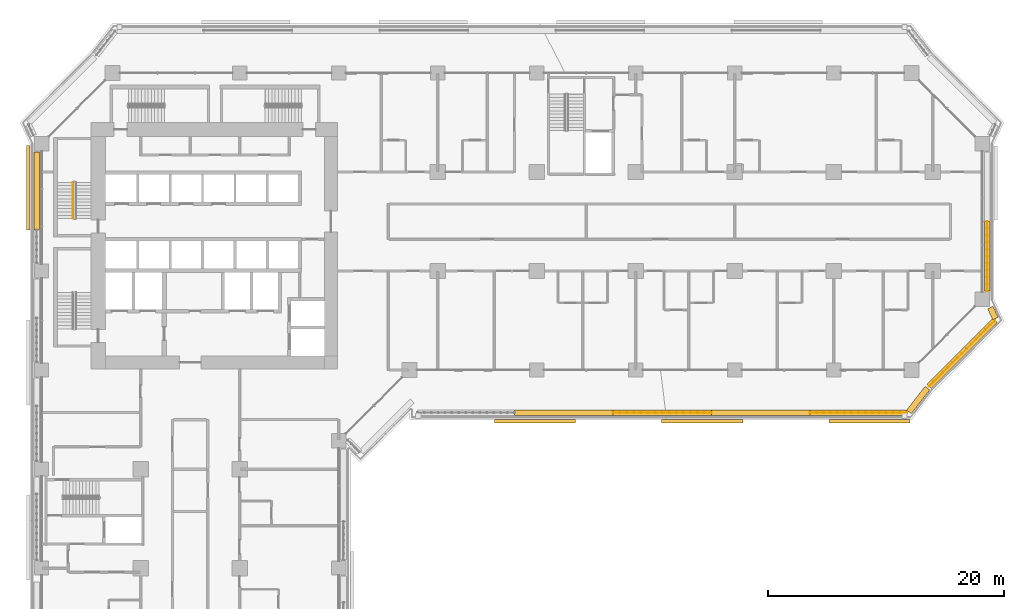
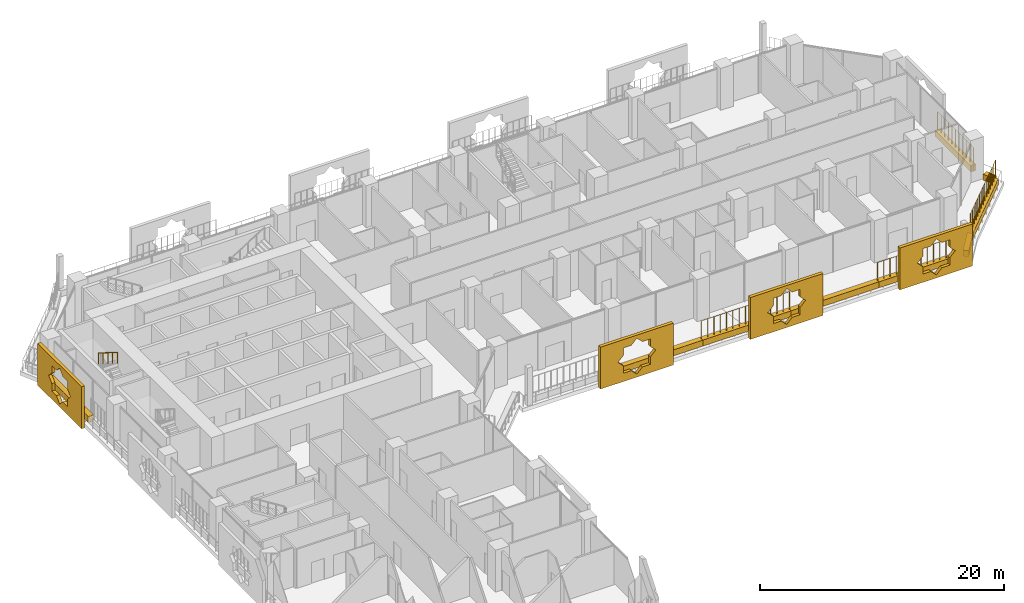
# One storey, part 25 of 28: 13 coverings, 5 railings.
"""IFC4 building model written with IfcOpenShell, lengths in metres."""

from ifc_helpers import new_model, si_unit, direction, frame, origin, origin_2d, place, context, subcontext, project, spatial, polyline, rectangle, circle, outline, extrude, material, material_profile, profile_set, type_object, element, save


model = new_model("IFC4")

# Units and contexts
model_context = context("Model", 3, precision=1e-05, world=origin(), true_north=direction((0.0, 1.0)))
body_context = subcontext(model_context, "Body", "Model", "MODEL_VIEW")
ifc_project = project(units=[si_unit("LENGTHUNIT", "METRE"), si_unit("AREAUNIT", "SQUARE_METRE"), si_unit("VOLUMEUNIT", "CUBIC_METRE"), si_unit("PLANEANGLEUNIT", "RADIAN"), si_unit("MASSUNIT", "GRAM", prefix="KILO")], contexts=[model_context])

# Site, building, storey
site_placement = place(None, origin())
site = spatial("IfcSite", under=ifc_project, at=site_placement, CompositionType="ELEMENT")
building_placement = place(site_placement, origin())
building = spatial("IfcBuilding", under=site, at=building_placement, Name="Kawkab Arch Medical Tower", CompositionType="ELEMENT")
storey_placement = place(building_placement, frame((0.0, 0.0, 81.199951171875)))
storey = spatial("IfcBuildingStorey", under=building, at=storey_placement, Name="L18", CompositionType="ELEMENT", Elevation=81.199951171875)

# Coverings
ifc_material_1 = material(Name="Bronze anodised aluminium mashrabiya panel, eight-point star pattern", Category="aluminium")
ifc_material_profile_1 = material_profile(ifc_material_1, outline(polyline([(-3.449951171875, -2.10009765625), (3.449951171875, -2.10009765625), (3.449951171875, 2.10009765625), (-3.449951171875, 2.10009765625), (-3.449951171875, -2.10009765625)]), holes=[polyline([(1.800048828125, 0.0), (1.272705078125, 0.527099609375), (1.272705078125, 1.272705078125), (0.527099609375, 1.272705078125), (0.0, 1.800048828125), (-0.527099609375, 1.272705078125), (-1.272705078125, 1.272705078125), (-1.272705078125, 0.527099609375), (-1.800048828125, 0.0), (-1.272705078125, -0.527099609375), (-1.272705078125, -1.272705078125), (-0.527099609375, -1.272705078125), (0.0, -1.800048828125), (0.527099609375, -1.272705078125), (1.272705078125, -1.272705078125), (1.272705078125, -0.527099609375), (1.800048828125, 0.0)])]), Name="Mashrabiya panel 6900x4200")
ifc_profile_set_1 = profile_set([ifc_material_profile_1], Name="Bronze anodised aluminium mashrabiya panel, eight-point star pattern")
covering_type_1 = type_object("IfcCoveringType", Name="Mashrabiya panel 6900 x 4200", PredefinedType="USERDEFINED", material=ifc_profile_set_1)
for number, where, z_axis, x_axis, name in (
    (1, (70.226318359375, -29.39990234375, 1.699951171875), (0.0, -1.0, 0.0), (1.0, 0.0, 0.0), "Mashrabiya panel L18.LOG-01-01.11"),
    (2, (56.05126953125, -29.39990234375, 1.699951171875), (0.0, -1.0, 0.0), (1.0, 0.0, 0.0), "Mashrabiya panel L18.LOG-01-01.12"),
    (3, (41.856201171875, -29.39990234375, 1.699951171875), (0.0, -1.0, 0.0), (1.0, 0.0, 0.0), "Mashrabiya panel L18.LOG-01-01.13"),
):
    element("IfcCovering", number, at=place(storey_placement, frame(where, z_axis=z_axis, x_axis=x_axis)), inside=storey, type_object=covering_type_1, Name=name, ObjectType="SCREEN", PredefinedType="USERDEFINED", context=body_context, shape_type="SweptSolid", body=[
        extrude(outline(polyline([(-3.449951171875, -2.10009765625), (3.449951171875, -2.10009765625), (3.449951171875, 2.10009765625), (-3.449951171875, 2.10009765625), (-3.449951171875, -2.10009765625)]), holes=[polyline([(1.800048828125, 0.0), (1.272705078125, 0.527099609375), (1.272705078125, 1.272705078125), (0.527099609375, 1.272705078125), (0.0, 1.800048828125), (-0.527099609375, 1.272705078125), (-1.272705078125, 1.272705078125), (-1.272705078125, 0.527099609375), (-1.800048828125, 0.0), (-1.272705078125, -0.527099609375), (-1.272705078125, -1.272705078125), (-0.527099609375, -1.272705078125), (0.0, -1.800048828125), (0.527099609375, -1.272705078125), (1.272705078125, -1.272705078125), (1.272705078125, -0.527099609375), (1.800048828125, 0.0)])]), origin(), (0.0, 0.0, 1.0), 0.300048828125),
    ])
ifc_material_2 = material(Name="Bronze anodised aluminium mashrabiya panel, eight-point star pattern", Category="aluminium")
ifc_material_profile_2 = material_profile(ifc_material_2, outline(polyline([(-3.60009765625, -2.10009765625), (3.60009765625, -2.10009765625), (3.60009765625, 2.10009765625), (-3.60009765625, 2.10009765625), (-3.60009765625, -2.10009765625)]), holes=[polyline([(1.800048828125, 0.0), (1.272705078125, 0.527099609375), (1.272705078125, 1.272705078125), (0.527099609375, 1.272705078125), (0.0, 1.800048828125), (-0.527099609375, 1.272705078125), (-1.272705078125, 1.272705078125), (-1.272705078125, 0.527099609375), (-1.800048828125, 0.0), (-1.272705078125, -0.527099609375), (-1.272705078125, -1.272705078125), (-0.527099609375, -1.272705078125), (0.0, -1.800048828125), (0.527099609375, -1.272705078125), (1.272705078125, -1.272705078125), (1.272705078125, -0.527099609375), (1.800048828125, 0.0)])]), Name="Mashrabiya panel 7200x4200")
ifc_profile_set_2 = profile_set([ifc_material_profile_2], Name="Bronze anodised aluminium mashrabiya panel, eight-point star pattern")
covering_type_2 = type_object("IfcCoveringType", Name="Mashrabiya panel 7200 x 4200", PredefinedType="USERDEFINED", material=ifc_profile_set_2)
covering_1_placement = place(storey_placement, frame((-1.0, -9.730712890625, 1.699951171875), z_axis=(-1.0, 0.0, 0.0), x_axis=(0.0, -1.0, 0.0)))
element("IfcCovering", 4, at=covering_1_placement, inside=storey, type_object=covering_type_2, Name="Mashrabiya panel L18.LOG-01-01.5", ObjectType="SCREEN", PredefinedType="USERDEFINED", context=body_context, shape_type="SweptSolid", body=[
    extrude(outline(polyline([(-3.60009765625, -2.10009765625), (3.60009765625, -2.10009765625), (3.60009765625, 2.10009765625), (-3.60009765625, 2.10009765625), (-3.60009765625, -2.10009765625)]), holes=[polyline([(1.800048828125, 0.0), (1.272705078125, 0.527099609375), (1.272705078125, 1.272705078125), (0.527099609375, 1.272705078125), (0.0, 1.800048828125), (-0.527099609375, 1.272705078125), (-1.272705078125, 1.272705078125), (-1.272705078125, 0.527099609375), (-1.800048828125, 0.0), (-1.272705078125, -0.527099609375), (-1.272705078125, -1.272705078125), (-0.527099609375, -1.272705078125), (0.0, -1.800048828125), (0.527099609375, -1.272705078125), (1.272705078125, -1.272705078125), (1.272705078125, -0.527099609375), (1.800048828125, 0.0)])]), origin(), (0.0, 0.0, 1.0), 0.300048828125),
])
ifc_material_3 = material(Name="Planting soil in a precast trough", Category="concrete")
ifc_material_profile_3 = material_profile(ifc_material_3, rectangle(XDim=0.5, YDim=0.60009765625, at=origin_2d()), Name="Trough 500x600")
ifc_profile_set_3 = profile_set([ifc_material_profile_3], Name="Planting soil in a precast trough")
covering_type_3 = type_object("IfcCoveringType", Name="Planter trough 500 x 600", PredefinedType="USERDEFINED", material=ifc_profile_set_3)
covering_2_placement = place(storey_placement, frame((-0.419921875, -13.3310546875, 0.300048828125), z_axis=(0.0, 1.0, 0.0), x_axis=(-1.0, 0.0, 0.0)))
element("IfcCovering", 5, at=covering_2_placement, inside=storey, type_object=covering_type_3, Name="Planter L18.LOG-01-01.16", ObjectType="PLANTER", PredefinedType="USERDEFINED", context=body_context, shape_type="SweptSolid", body=[
    extrude(rectangle(XDim=0.5, YDim=0.60009765625, at=origin_2d()), origin(), (0.0, 0.0, 1.0), 6.6259765625),
])
covering_3_placement = place(storey_placement, frame((80.219970703125, -12.60009765625, 0.300048828125), z_axis=(0.0, -1.0, 0.0), x_axis=(1.0, 0.0, 0.0)))
element("IfcCovering", 6, at=covering_3_placement, inside=storey, type_object=covering_type_3, Name="Planter L18.LOG-01-01.33", ObjectType="PLANTER", PredefinedType="USERDEFINED", context=body_context, shape_type="SweptSolid", body=[
    extrude(rectangle(XDim=0.5, YDim=0.60009765625, at=origin_2d()), origin(), (0.0, 0.0, 1.0), 5.89501953125),
])
covering_4_placement = place(storey_placement, frame((80.48095703125, -19.89794921875, 0.300048828125), z_axis=(0.415071571878, -0.909788761317, 0.0), x_axis=(0.909788761317, 0.415071571878, 0.0)))
element("IfcCovering", 7, at=covering_4_placement, inside=storey, type_object=covering_type_3, Name="Planter L18.LOG-01-01.34", ObjectType="PLANTER", PredefinedType="USERDEFINED", context=body_context, shape_type="SweptSolid", body=[
    extrude(rectangle(XDim=0.5, YDim=0.60009765625, at=origin_2d()), origin(), (0.0, 0.0, 1.0), 1.0146484375),
])
covering_5_placement = place(storey_placement, frame((80.873046875, -20.98291015625, 0.300048828125), z_axis=(-0.707106781187, -0.707106781187, 0.0), x_axis=(0.707106781187, -0.707106781187, 0.0)))
element("IfcCovering", 8, at=covering_5_placement, inside=storey, type_object=covering_type_3, Name="Planter L18.LOG-01-01.35", ObjectType="PLANTER", PredefinedType="USERDEFINED", context=body_context, shape_type="SweptSolid", body=[
    extrude(rectangle(XDim=0.5, YDim=0.60009765625, at=origin_2d()), origin(), (0.0, 0.0, 1.0), 7.919677734375),
])
covering_6_placement = place(storey_placement, frame((75.14111328125, -26.73193359375, 0.300048828125), z_axis=(-0.614099956103, -0.789228258436, 0.0), x_axis=(0.789228258436, -0.614099956103, 0.0)))
element("IfcCovering", 9, at=covering_6_placement, inside=storey, type_object=covering_type_3, Name="Planter L18.LOG-01-01.36", ObjectType="PLANTER", PredefinedType="USERDEFINED", context=body_context, shape_type="SweptSolid", body=[
    extrude(rectangle(XDim=0.5, YDim=0.60009765625, at=origin_2d()), origin(), (0.0, 0.0, 1.0), 2.545654296875),
])
covering_7_placement = place(storey_placement, frame((73.416015625, -28.820068359375, 0.300048828125), z_axis=(-1.0, 0.0, 0.0), x_axis=(0.0, -1.0, 0.0)))
element("IfcCovering", 10, at=covering_7_placement, inside=storey, type_object=covering_type_3, Name="Planter L18.LOG-01-01.37", ObjectType="PLANTER", PredefinedType="USERDEFINED", context=body_context, shape_type="SweptSolid", body=[
    extrude(rectangle(XDim=0.5, YDim=0.60009765625, at=origin_2d()), origin(), (0.0, 0.0, 1.0), 8.2470703125),
])
for number, where, z_axis, x_axis, name in (
    (11, (65.1689453125, -28.820068359375, 0.300048828125), (-1.0, 0.0, 0.0), (0.0, -1.0, 0.0), "Planter L18.LOG-01-01.38"),
    (12, (56.822021484375, -28.820068359375, 0.300048828125), (-1.0, 0.0, 0.0), (0.0, -1.0, 0.0), "Planter L18.LOG-01-01.39"),
):
    element("IfcCovering", number, at=place(storey_placement, frame(where, z_axis=z_axis, x_axis=x_axis)), inside=storey, type_object=covering_type_3, Name=name, ObjectType="PLANTER", PredefinedType="USERDEFINED", context=body_context, shape_type="SweptSolid", body=[
        extrude(rectangle(XDim=0.5, YDim=0.60009765625, at=origin_2d()), origin(), (0.0, 0.0, 1.0), 8.346923828125),
    ])
covering_8_placement = place(storey_placement, frame((48.47509765625, -28.820068359375, 0.300048828125), z_axis=(-1.0, 0.0, 0.0), x_axis=(0.0, -1.0, 0.0)))
element("IfcCovering", 13, at=covering_8_placement, inside=storey, type_object=covering_type_3, Name="Planter L18.LOG-01-01.40", ObjectType="PLANTER", PredefinedType="USERDEFINED", context=body_context, shape_type="SweptSolid", body=[
    extrude(rectangle(XDim=0.5, YDim=0.60009765625, at=origin_2d()), origin(), (0.0, 0.0, 1.0), 8.34814453125),
])

# Railings
ifc_material_4 = material(Name="Bronze anodised aluminium trellis for climbing plants", Category="aluminium")
railing_type_1 = type_object("IfcRailingType", Name="Planting trellis 2400", PredefinedType="USERDEFINED", material=ifc_material_4)
railing_1_placement = place(storey_placement, frame((80.219970703125, -12.60009765625, 0.0)))
element("IfcRailing", 14, at=railing_1_placement, inside=storey, type_object=railing_type_1, Name="Planting trellis L18.LOG-01-01.33", ObjectType="TRELLIS", PredefinedType="USERDEFINED", context=body_context, shape_type="SweptSolid", body=[
    extrude(circle(Radius=0.01513671875, at=origin_2d()), frame((0.0, 0.0, 2.384765625), z_axis=(0.0, -1.0, 0.0), x_axis=(1.0, 0.0, 0.0)), (0.0, 0.0, 1.0), 5.89501953125),
    extrude(circle(Radius=0.030029296875, at=origin_2d()), origin(), (0.0, 0.0, 1.0), 2.369873046875),
    extrude(circle(Radius=0.030029296875, at=origin_2d()), frame((0.0, -0.589599609375, 0.0)), (0.0, 0.0, 1.0), 2.369873046875),
    extrude(circle(Radius=0.030029296875, at=origin_2d()), frame((0.0, -1.178955078125, 0.0)), (0.0, 0.0, 1.0), 2.369873046875),
    extrude(circle(Radius=0.030029296875, at=origin_2d()), frame((0.0, -1.7685546875, 0.0)), (0.0, 0.0, 1.0), 2.369873046875),
    extrude(circle(Radius=0.030029296875, at=origin_2d()), frame((0.0, -2.35791015625, 0.0)), (0.0, 0.0, 1.0), 2.369873046875),
    extrude(circle(Radius=0.030029296875, at=origin_2d()), frame((0.0, -2.947509765625, 0.0)), (0.0, 0.0, 1.0), 2.369873046875),
    extrude(circle(Radius=0.030029296875, at=origin_2d()), frame((0.0, -3.537109375, 0.0)), (0.0, 0.0, 1.0), 2.369873046875),
    extrude(circle(Radius=0.030029296875, at=origin_2d()), frame((0.0, -4.12646484375, 0.0)), (0.0, 0.0, 1.0), 2.369873046875),
    extrude(circle(Radius=0.030029296875, at=origin_2d()), frame((0.0, -4.716064453125, 0.0)), (0.0, 0.0, 1.0), 2.369873046875),
    extrude(circle(Radius=0.030029296875, at=origin_2d()), frame((0.0, -5.305419921875, 0.0)), (0.0, 0.0, 1.0), 2.369873046875),
    extrude(circle(Radius=0.030029296875, at=origin_2d()), frame((0.0, -5.89501953125, 0.0)), (0.0, 0.0, 1.0), 2.369873046875),
])
railing_2_placement = place(storey_placement, frame((80.873046875, -20.98291015625, 0.0)))
element("IfcRailing", 15, at=railing_2_placement, inside=storey, type_object=railing_type_1, Name="Planting trellis L18.LOG-01-01.35", ObjectType="TRELLIS", PredefinedType="USERDEFINED", context=body_context, shape_type="SweptSolid", body=[
    extrude(circle(Radius=0.01513671875, at=origin_2d()), frame((0.0, 0.0, 2.384765625), z_axis=(-0.707106781187, -0.707106781187, 0.0), x_axis=(0.707106781187, -0.707106781187, 0.0)), (0.0, 0.0, 1.0), 7.919677734375),
    extrude(circle(Radius=0.030029296875, at=origin_2d()), origin(), (0.0, 0.0, 1.0), 2.369873046875),
    extrude(circle(Radius=0.030029296875, at=origin_2d()), frame((-0.39990234375, -0.39990234375, 0.0)), (0.0, 0.0, 1.0), 2.369873046875),
    extrude(circle(Radius=0.030029296875, at=origin_2d()), frame((-0.800048828125, -0.800048828125, 0.0)), (0.0, 0.0, 1.0), 2.369873046875),
    extrude(circle(Radius=0.030029296875, at=origin_2d()), frame((-1.199951171875, -1.199951171875, 0.0)), (0.0, 0.0, 1.0), 2.369873046875),
    extrude(circle(Radius=0.030029296875, at=origin_2d()), frame((-1.60009765625, -1.60009765625, 0.0)), (0.0, 0.0, 1.0), 2.369873046875),
    extrude(circle(Radius=0.030029296875, at=origin_2d()), frame((-2.0, -2.0, 0.0)), (0.0, 0.0, 1.0), 2.369873046875),
    extrude(circle(Radius=0.030029296875, at=origin_2d()), frame((-2.400146484375, -2.400146484375, 0.0)), (0.0, 0.0, 1.0), 2.369873046875),
    extrude(circle(Radius=0.030029296875, at=origin_2d()), frame((-2.800048828125, -2.800048828125, 0.0)), (0.0, 0.0, 1.0), 2.369873046875),
    extrude(circle(Radius=0.030029296875, at=origin_2d()), frame((-3.199951171875, -3.199951171875, 0.0)), (0.0, 0.0, 1.0), 2.369873046875),
    extrude(circle(Radius=0.030029296875, at=origin_2d()), frame((-3.60009765625, -3.60009765625, 0.0)), (0.0, 0.0, 1.0), 2.369873046875),
    extrude(circle(Radius=0.030029296875, at=origin_2d()), frame((-4.0, -4.0, 0.0)), (0.0, 0.0, 1.0), 2.369873046875),
    extrude(circle(Radius=0.030029296875, at=origin_2d()), frame((-4.400146484375, -4.400146484375, 0.0)), (0.0, 0.0, 1.0), 2.369873046875),
    extrude(circle(Radius=0.030029296875, at=origin_2d()), frame((-4.800048828125, -4.800048828125, 0.0)), (0.0, 0.0, 1.0), 2.369873046875),
    extrude(circle(Radius=0.030029296875, at=origin_2d()), frame((-5.2001953125, -5.2001953125, 0.0)), (0.0, 0.0, 1.0), 2.369873046875),
    extrude(circle(Radius=0.030029296875, at=origin_2d()), frame((-5.60009765625, -5.60009765625, 0.0)), (0.0, 0.0, 1.0), 2.369873046875),
])
railing_3_placement = place(storey_placement, frame((73.416015625, -28.820068359375, 0.0)))
element("IfcRailing", 16, at=railing_3_placement, inside=storey, type_object=railing_type_1, Name="Planting trellis L18.LOG-01-01.37", ObjectType="TRELLIS", PredefinedType="USERDEFINED", context=body_context, shape_type="SweptSolid", body=[
    extrude(circle(Radius=0.01513671875, at=origin_2d()), frame((0.0, 0.0, 2.384765625), z_axis=(-1.0, 0.0, 0.0), x_axis=(0.0, -1.0, 0.0)), (0.0, 0.0, 1.0), 8.2470703125),
    extrude(circle(Radius=0.030029296875, at=origin_2d()), origin(), (0.0, 0.0, 1.0), 2.369873046875),
    extrude(circle(Radius=0.030029296875, at=origin_2d()), frame((-0.589111328125, 0.0, 0.0)), (0.0, 0.0, 1.0), 2.369873046875),
    extrude(circle(Radius=0.030029296875, at=origin_2d()), frame((-1.17822265625, 0.0, 0.0)), (0.0, 0.0, 1.0), 2.369873046875),
    extrude(circle(Radius=0.030029296875, at=origin_2d()), frame((-1.767333984375, 0.0, 0.0)), (0.0, 0.0, 1.0), 2.369873046875),
    extrude(circle(Radius=0.030029296875, at=origin_2d()), frame((-2.356201171875, 0.0, 0.0)), (0.0, 0.0, 1.0), 2.369873046875),
    extrude(circle(Radius=0.030029296875, at=origin_2d()), frame((-2.9453125, 0.0, 0.0)), (0.0, 0.0, 1.0), 2.369873046875),
    extrude(circle(Radius=0.030029296875, at=origin_2d()), frame((-3.534423828125, 0.0, 0.0)), (0.0, 0.0, 1.0), 2.369873046875),
    extrude(circle(Radius=0.030029296875, at=origin_2d()), frame((-4.12353515625, 0.0, 0.0)), (0.0, 0.0, 1.0), 2.369873046875),
    extrude(circle(Radius=0.030029296875, at=origin_2d()), frame((-4.712646484375, 0.0, 0.0)), (0.0, 0.0, 1.0), 2.369873046875),
    extrude(circle(Radius=0.030029296875, at=origin_2d()), frame((-5.3017578125, 0.0, 0.0)), (0.0, 0.0, 1.0), 2.369873046875),
    extrude(circle(Radius=0.030029296875, at=origin_2d()), frame((-5.890869140625, 0.0, 0.0)), (0.0, 0.0, 1.0), 2.369873046875),
    extrude(circle(Radius=0.030029296875, at=origin_2d()), frame((-6.479736328125, 0.0, 0.0)), (0.0, 0.0, 1.0), 2.369873046875),
    extrude(circle(Radius=0.030029296875, at=origin_2d()), frame((-7.06884765625, 0.0, 0.0)), (0.0, 0.0, 1.0), 2.369873046875),
    extrude(circle(Radius=0.030029296875, at=origin_2d()), frame((-7.657958984375, 0.0, 0.0)), (0.0, 0.0, 1.0), 2.369873046875),
    extrude(circle(Radius=0.030029296875, at=origin_2d()), frame((-8.2470703125, 0.0, 0.0)), (0.0, 0.0, 1.0), 2.369873046875),
])
railing_4_placement = place(storey_placement, frame((56.822021484375, -28.820068359375, 0.0)))
element("IfcRailing", 17, at=railing_4_placement, inside=storey, type_object=railing_type_1, Name="Planting trellis L18.LOG-01-01.39", ObjectType="TRELLIS", PredefinedType="USERDEFINED", context=body_context, shape_type="SweptSolid", body=[
    extrude(circle(Radius=0.01513671875, at=origin_2d()), frame((0.0, 0.0, 2.384765625), z_axis=(-1.0, 0.0, 0.0), x_axis=(0.0, -1.0, 0.0)), (0.0, 0.0, 1.0), 8.346923828125),
    extrude(circle(Radius=0.030029296875, at=origin_2d()), origin(), (0.0, 0.0, 1.0), 2.369873046875),
    extrude(circle(Radius=0.030029296875, at=origin_2d()), frame((-0.59619140625, 0.0, 0.0)), (0.0, 0.0, 1.0), 2.369873046875),
    extrude(circle(Radius=0.030029296875, at=origin_2d()), frame((-1.1923828125, 0.0, 0.0)), (0.0, 0.0, 1.0), 2.369873046875),
    extrude(circle(Radius=0.030029296875, at=origin_2d()), frame((-1.78857421875, 0.0, 0.0)), (0.0, 0.0, 1.0), 2.369873046875),
    extrude(circle(Radius=0.030029296875, at=origin_2d()), frame((-2.384765625, 0.0, 0.0)), (0.0, 0.0, 1.0), 2.369873046875),
    extrude(circle(Radius=0.030029296875, at=origin_2d()), frame((-2.98095703125, 0.0, 0.0)), (0.0, 0.0, 1.0), 2.369873046875),
    extrude(circle(Radius=0.030029296875, at=origin_2d()), frame((-3.5771484375, 0.0, 0.0)), (0.0, 0.0, 1.0), 2.369873046875),
    extrude(circle(Radius=0.030029296875, at=origin_2d()), frame((-4.17333984375, 0.0, 0.0)), (0.0, 0.0, 1.0), 2.369873046875),
    extrude(circle(Radius=0.030029296875, at=origin_2d()), frame((-4.769775390625, 0.0, 0.0)), (0.0, 0.0, 1.0), 2.369873046875),
    extrude(circle(Radius=0.030029296875, at=origin_2d()), frame((-5.365966796875, 0.0, 0.0)), (0.0, 0.0, 1.0), 2.369873046875),
    extrude(circle(Radius=0.030029296875, at=origin_2d()), frame((-5.962158203125, 0.0, 0.0)), (0.0, 0.0, 1.0), 2.369873046875),
    extrude(circle(Radius=0.030029296875, at=origin_2d()), frame((-6.558349609375, 0.0, 0.0)), (0.0, 0.0, 1.0), 2.369873046875),
    extrude(circle(Radius=0.030029296875, at=origin_2d()), frame((-7.154541015625, 0.0, 0.0)), (0.0, 0.0, 1.0), 2.369873046875),
    extrude(circle(Radius=0.030029296875, at=origin_2d()), frame((-7.750732421875, 0.0, 0.0)), (0.0, 0.0, 1.0), 2.369873046875),
    extrude(circle(Radius=0.030029296875, at=origin_2d()), frame((-8.346923828125, 0.0, 0.0)), (0.0, 0.0, 1.0), 2.369873046875),
])
ifc_material_5 = material(Name="Stainless steel", Category="steel")
railing_type_2 = type_object("IfcRailingType", Name="Stair guard 1100", PredefinedType="GUARDRAIL", material=ifc_material_5)
railing_5_placement = place(storey_placement, frame((2.64990234375, -9.27001953125, 2.275146484375)))
element("IfcRailing", 18, at=railing_5_placement, inside=storey, type_object=railing_type_2, Name="L18 ST1 stair guard 3", PredefinedType="GUARDRAIL", context=body_context, shape_type="SweptSolid", body=[
    extrude(circle(Radius=0.02392578125, at=origin_2d()), frame((0.0, 0.0, 1.076171875), z_axis=(0.0, -0.848028513186, 0.529950602248), x_axis=(1.0, 0.0, 0.0)), (0.0, 0.0, 1.0), 3.632080078125),
    extrude(circle(Radius=0.02099609375, at=origin_2d()), origin(), (0.0, 0.0, 1.0), 1.052001953125),
    extrude(circle(Radius=0.02099609375, at=origin_2d()), frame((0.0, -0.77001953125, 0.481201171875)), (0.0, 0.0, 1.0), 1.052001953125),
    extrude(circle(Radius=0.02099609375, at=origin_2d()), frame((0.0, -1.5400390625, 0.96240234375)), (0.0, 0.0, 1.0), 1.052001953125),
    extrude(circle(Radius=0.02099609375, at=origin_2d()), frame((0.0, -2.31005859375, 1.443603515625)), (0.0, 0.0, 1.0), 1.052001953125),
    extrude(circle(Radius=0.02099609375, at=origin_2d()), frame((0.0, -3.080078125, 1.9248046875)), (0.0, 0.0, 1.0), 1.052001953125),
])

save(model, "model.ifc")
